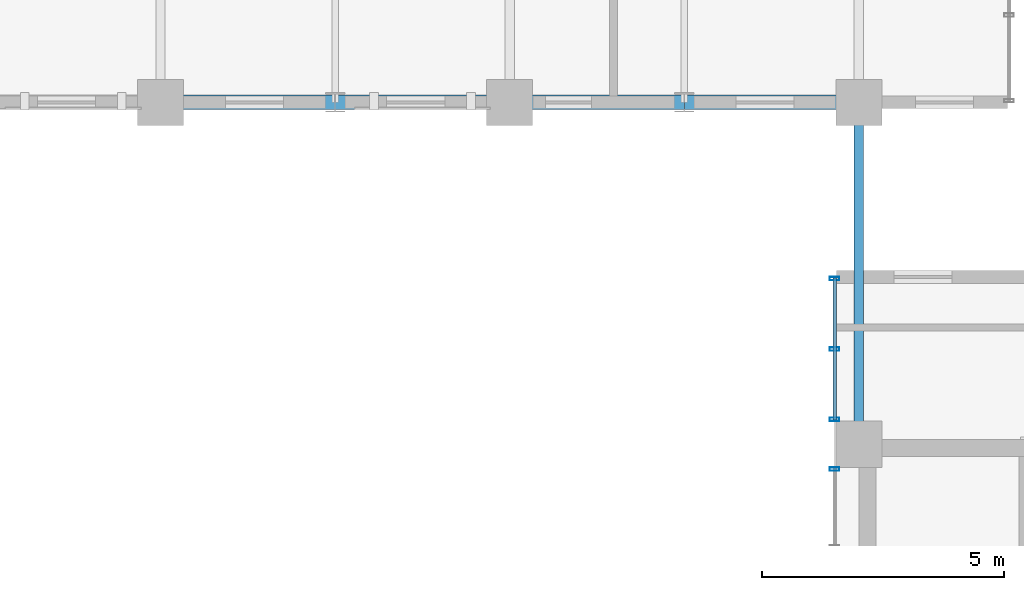
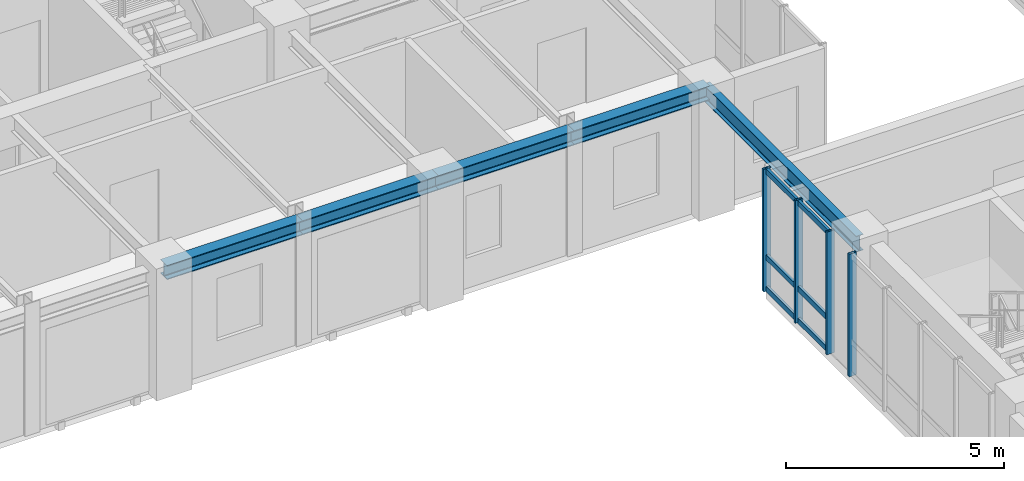
# One storey, part 5 of 24: 7 members, 5 beams, 2 elements without a shape of their own.
"""IFC4 building model written with IfcOpenShell, lengths in metres."""

from ifc_helpers import new_model, si_unit, direction, frame, origin, origin_2d, place, context, subcontext, project, spatial, hollow_rectangle, i_section, extrude, source, transform, mapped, material, layer, layer_set, material_profile, profile_set, type_object, element, aggregate, save


model = new_model("IFC4")

# Units and contexts
model_context = context("Model", 3, precision=1e-05, world=origin(), true_north=direction((0.0, 1.0)))
body_context = subcontext(model_context, "Body", "Model", "MODEL_VIEW")
ifc_project = project(units=[si_unit("LENGTHUNIT", "METRE"), si_unit("AREAUNIT", "SQUARE_METRE"), si_unit("VOLUMEUNIT", "CUBIC_METRE"), si_unit("PLANEANGLEUNIT", "RADIAN"), si_unit("MASSUNIT", "GRAM", prefix="KILO")], contexts=[model_context])

# Site, building, storey
site_placement = place(None, origin())
site = spatial("IfcSite", under=ifc_project, at=site_placement, CompositionType="ELEMENT")
building_placement = place(site_placement, origin())
building = spatial("IfcBuilding", under=site, at=building_placement, Name="Kaliganga Portal Commons", CompositionType="ELEMENT")
storey_placement = place(building_placement, frame((0.0, 0.0, 235.10009765625)))
storey = spatial("IfcBuildingStorey", under=building, at=storey_placement, Name="L60", CompositionType="ELEMENT", Elevation=235.10009765625)

# Beams
ifc_material_1 = material(Name="Structural steel S355J2", Category="steel")
ifc_material_profile_1 = material_profile(ifc_material_1, i_section(OverallWidth=0.18994140625, OverallDepth=0.449951171875, WebThickness=0.009521484375, FlangeThickness=0.0146484375, FilletRadius=0.02099609375, at=origin_2d()), Name="IPE 450")
ifc_profile_set_1 = profile_set([ifc_material_profile_1], Name="Structural steel S355J2 wide-flange")
beam_type_1 = type_object("IfcBeamType", Name="BM-FLR-450", PredefinedType="BEAM", material=ifc_profile_set_1)
shared_shape_1 = source(origin(), body_context, "Body", "SweptSolid", [
    extrude(i_section(OverallWidth=0.18994140625, OverallDepth=0.449951171875, WebThickness=0.009521484375, FlangeThickness=0.0146484375, FilletRadius=0.02099609375, at=origin_2d()), origin(), (0.0, 0.0, 1.0), 7.050048828125),
])
beam_placement = place(storey_placement, frame((36.0, 14.550048828125, 3.21484375), z_axis=(0.0, 1.0, 0.0), x_axis=(-1.0, 0.0, 0.0)))
element("IfcBeam", 1, at=beam_placement, inside=storey, type_object=beam_type_1, Name="BM G L60 BNK360", PredefinedType="BEAM", context=body_context, shape_type="MappedRepresentation", body=[
    mapped(shared_shape_1, transform((0.0, 0.0, 0.0), x_axis=(1.0, 0.0, 0.0), y_axis=(0.0, 1.0, 0.0), z_axis=(0.0, 0.0, 1.0), scale=1.0)),
])
ifc_material_profile_2 = material_profile(ifc_material_1, i_section(OverallWidth=0.300048828125, OverallDepth=0.39990234375, WebThickness=0.013427734375, FlangeThickness=0.02392578125, FilletRadius=0.027099609375, at=origin_2d()), Name="HE 400 B")
ifc_profile_set_2 = profile_set([ifc_material_profile_2], Name="Structural steel S355J2 wide-flange")
beam_type_2 = type_object("IfcBeamType", Name="BM-SPAND-400", PredefinedType="SPANDREL", material=ifc_profile_set_2)
shared_shape_2 = source(origin(), body_context, "Body", "SweptSolid", [
    extrude(i_section(OverallWidth=0.300048828125, OverallDepth=0.39990234375, WebThickness=0.013427734375, FlangeThickness=0.02392578125, FilletRadius=0.027099609375, at=origin_2d()), origin(), (0.0, 0.0, 1.0), 3.60009765625),
])
for number, where, z_axis, x_axis, name in (
    (2, (25.199951171875, 21.60009765625, 3.239990234375), (1.0, 0.0, 0.0), (0.0, 1.0, 0.0), "BM SP L60 AS 4"),
    (3, (32.39990234375, 21.60009765625, 3.239990234375), (1.0, 0.0, 0.0), (0.0, 1.0, 0.0), "BM SP L60 AS 6"),
):
    element("IfcBeam", number, at=place(storey_placement, frame(where, z_axis=z_axis, x_axis=x_axis)), inside=storey, type_object=beam_type_2, Name=name, PredefinedType="SPANDREL", context=body_context, shape_type="MappedRepresentation", body=[
        mapped(shared_shape_2, transform((0.0, 0.0, 0.0), x_axis=(1.0, 0.0, 0.0), y_axis=(0.0, 1.0, 0.0), z_axis=(0.0, 0.0, 1.0), scale=1.0)),
    ])
shared_shape_3 = source(origin(), body_context, "Body", "SweptSolid", [
    extrude(i_section(OverallWidth=0.300048828125, OverallDepth=0.39990234375, WebThickness=0.013427734375, FlangeThickness=0.02392578125, FilletRadius=0.027099609375, at=origin_2d()), origin(), (0.0, 0.0, 1.0), 3.599853515625),
])
for number, where, z_axis, x_axis, name in (
    (4, (21.60009765625, 21.60009765625, 3.239990234375), (1.0, 0.0, 0.0), (0.0, 1.0, 0.0), "BM SP L60 AS 3"),
    (5, (28.800048828125, 21.60009765625, 3.239990234375), (1.0, 0.0, 0.0), (0.0, 1.0, 0.0), "BM SP L60 AS 5"),
):
    element("IfcBeam", number, at=place(storey_placement, frame(where, z_axis=z_axis, x_axis=x_axis)), inside=storey, type_object=beam_type_2, Name=name, PredefinedType="SPANDREL", context=body_context, shape_type="MappedRepresentation", body=[
        mapped(shared_shape_3, transform((0.0, 0.0, 0.0), x_axis=(1.0, 0.0, 0.0), y_axis=(0.0, 1.0, 0.0), z_axis=(0.0, 0.0, 1.0), scale=1.0)),
    ])

# Curtain wall, members
ifc_material_2 = material(Name="Anodized Aluminium and Laminated Low-E Glass", Category="aluminium")
ifc_layer = layer(ifc_material_2, 0.239990234375)
ifc_layer_set = layer_set([ifc_layer], Name="Anodized Aluminium and Laminated Low-E Glass")
curtain_wall_type = type_object("IfcCurtainWallType", Name="CW-SYS-04", PredefinedType="NOTDEFINED", material=ifc_layer_set)
curtain_wall_1_placement = place(storey_placement, origin())
curtain_wall_1 = element("IfcCurtainWall", 6, at=curtain_wall_1_placement, inside=storey, type_object=curtain_wall_type, Name="CW 04 L60 P2E05S1", PredefinedType="NOTDEFINED")
ifc_material_3 = material(Name="Dark Bronze Anodized Aluminium", Category="aluminium")
ifc_material_profile_3 = material_profile(ifc_material_3, hollow_rectangle(XDim=0.070068359375, YDim=0.199951171875, WallThickness=0.00390625, at=origin_2d()), Name="ALU MULL 70x200x4")
ifc_profile_set_3 = profile_set([ifc_material_profile_3], Name="Dark Bronze Anodized Aluminium")
member_type_1 = type_object("IfcMemberType", Name="CW-MUL-220", PredefinedType="MULLION", material=ifc_profile_set_3)
shared_shape_4 = source(origin(), body_context, "Body", "SweptSolid", [
    extrude(hollow_rectangle(XDim=0.070068359375, YDim=0.199951171875, WallThickness=0.00390625, at=origin_2d()), origin(), (0.0, 0.0, 1.0), 3.43994140625),
])
member_1_placement = place(storey_placement, frame((35.5, 17.965087890625, 0.0), z_axis=(0.0, 0.0, 1.0), x_axis=(0.0, -1.0, 0.0)))
member_1 = element("IfcMember", 7, at=member_1_placement, type_object=member_type_1, Name="CW:04:L60:P2E05S1 Mullion 00", PredefinedType="MULLION", context=body_context, shape_type="MappedRepresentation", body=[
    mapped(shared_shape_4, transform((0.0, 0.0, 0.0), x_axis=(1.0, 0.0, 0.0), y_axis=(0.0, 1.0, 0.0), z_axis=(0.0, 0.0, 1.0), scale=1.0)),
])
member_2_placement = place(storey_placement, frame((35.5, 16.512939453125, 0.0), z_axis=(0.0, 0.0, 1.0), x_axis=(0.0, -1.0, 0.0)))
member_2 = element("IfcMember", 8, at=member_2_placement, type_object=member_type_1, Name="CW:04:L60:P2E05S1 Mullion 01", PredefinedType="MULLION", context=body_context, shape_type="MappedRepresentation", body=[
    mapped(shared_shape_4, transform((0.0, 0.0, 0.0), x_axis=(1.0, 0.0, 0.0), y_axis=(0.0, 1.0, 0.0), z_axis=(0.0, 0.0, 1.0), scale=1.0)),
])
member_3_placement = place(storey_placement, frame((35.5, 15.06103515625, 0.0), z_axis=(0.0, 0.0, 1.0), x_axis=(0.0, -1.0, 0.0)))
member_3 = element("IfcMember", 9, at=member_3_placement, type_object=member_type_1, Name="CW:04:L60:P2E05S1 Mullion 02", PredefinedType="MULLION", context=body_context, shape_type="MappedRepresentation", body=[
    mapped(shared_shape_4, transform((0.0, 0.0, 0.0), x_axis=(1.0, 0.0, 0.0), y_axis=(0.0, 1.0, 0.0), z_axis=(0.0, 0.0, 1.0), scale=1.0)),
])

# Curtain wall, member
curtain_wall_2_placement = place(storey_placement, origin())
curtain_wall_2 = element("IfcCurtainWall", 10, at=curtain_wall_2_placement, inside=storey, type_object=curtain_wall_type, Name="CW 04 L60 P2E05S2", PredefinedType="NOTDEFINED")
member_4_placement = place(storey_placement, frame((35.5, 14.0390625, 0.0), z_axis=(0.0, 0.0, 1.0), x_axis=(0.0, -1.0, 0.0)))
member_4 = element("IfcMember", 11, at=member_4_placement, type_object=member_type_1, Name="CW:04:L60:P2E05S2 Mullion 00", PredefinedType="MULLION", context=body_context, shape_type="MappedRepresentation", body=[
    mapped(shared_shape_4, transform((0.0, 0.0, 0.0), x_axis=(1.0, 0.0, 0.0), y_axis=(0.0, 1.0, 0.0), z_axis=(0.0, 0.0, 1.0), scale=1.0)),
])
aggregate(curtain_wall_2, [member_4])

# Member
ifc_material_profile_4 = material_profile(ifc_material_3, hollow_rectangle(XDim=0.070068359375, YDim=0.14990234375, WallThickness=0.00341796875, at=origin_2d()), Name="ALU TRAN 70x150x3.5")
ifc_profile_set_4 = profile_set([ifc_material_profile_4], Name="Dark Bronze Anodized Aluminium")
member_type_2 = type_object("IfcMemberType", Name="CW-TRN-150", PredefinedType="USERDEFINED", material=ifc_profile_set_4)
shared_shape_5 = source(origin(), body_context, "Body", "SweptSolid", [
    extrude(hollow_rectangle(XDim=0.070068359375, YDim=0.14990234375, WallThickness=0.00341796875, at=origin_2d()), origin(), (0.0, 0.0, 1.0), 2.93408203125),
])
member_5_placement = place(storey_placement, frame((35.5, 17.97998046875, 0.059814453125), z_axis=(0.0, -1.0, 0.0), x_axis=(1.0, 0.0, 0.0)))
member_5 = element("IfcMember", 12, at=member_5_placement, type_object=member_type_2, Name="CW:04:L60:P2E05S1 Transom 1", ObjectType="TRANSOM", PredefinedType="USERDEFINED", context=body_context, shape_type="MappedRepresentation", body=[
    mapped(shared_shape_5, transform((0.0, 0.0, 0.0), x_axis=(1.0, 0.0, 0.0), y_axis=(0.0, 1.0, 0.0), z_axis=(0.0, 0.0, 1.0), scale=1.0)),
])

member_6_placement = place(storey_placement, frame((35.5, 17.97998046875, 0.949951171875), z_axis=(0.0, -1.0, 0.0), x_axis=(1.0, 0.0, 0.0)))
member_6 = element("IfcMember", 13, at=member_6_placement, type_object=member_type_2, Name="CW:04:L60:P2E05S1 Transom 2", ObjectType="TRANSOM", PredefinedType="USERDEFINED", context=body_context, shape_type="MappedRepresentation", body=[
    mapped(shared_shape_5, transform((0.0, 0.0, 0.0), x_axis=(1.0, 0.0, 0.0), y_axis=(0.0, 1.0, 0.0), z_axis=(0.0, 0.0, 1.0), scale=1.0)),
])

member_7_placement = place(storey_placement, frame((35.5, 17.97998046875, 3.35986328125), z_axis=(0.0, -1.0, 0.0), x_axis=(1.0, 0.0, 0.0)))
member_7 = element("IfcMember", 14, at=member_7_placement, type_object=member_type_2, Name="CW:04:L60:P2E05S1 Transom 3", ObjectType="TRANSOM", PredefinedType="USERDEFINED", context=body_context, shape_type="MappedRepresentation", body=[
    mapped(shared_shape_5, transform((0.0, 0.0, 0.0), x_axis=(1.0, 0.0, 0.0), y_axis=(0.0, 1.0, 0.0), z_axis=(0.0, 0.0, 1.0), scale=1.0)),
])

aggregate(curtain_wall_1, [member_1, member_2, member_3, member_5, member_6, member_7])

save(model, "model.ifc")
